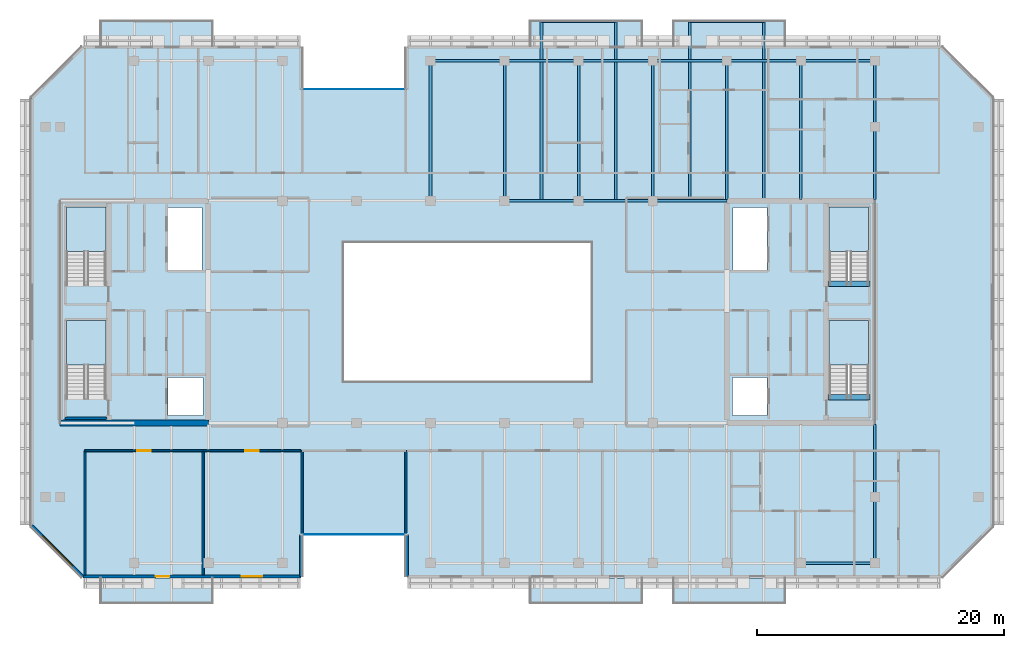
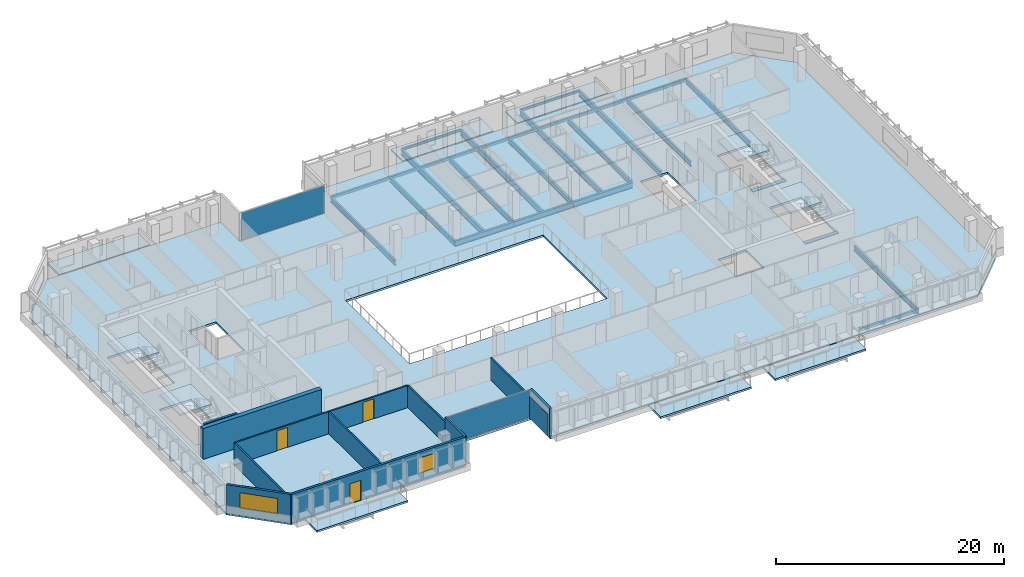
# One storey, part 5 of 16: 26 beams, 12 walls, 11 slabs, 3 doors, 2 plates, 2 windows, 5 openings, 6 elements without a shape of their own.
"""IFC4 building model written with IfcOpenShell, lengths in metres."""

from ifc_helpers import new_model, si_unit, direction, frame, frame_2d, origin, origin_2d, place, context, subcontext, project, spatial, polyline, rectangle, hollow_rectangle, i_section, outline, extrude, material, layer, layer_set, material_profile, profile_set, type_object, element, fill, aggregate, save


model = new_model("IFC4")

# Units and contexts
model_context = context("Model", 3, precision=1e-05, world=origin(), true_north=direction((0.0, 1.0)))
body_context = subcontext(model_context, "Body", "Model", "MODEL_VIEW")
ifc_project = project(units=[si_unit("LENGTHUNIT", "METRE"), si_unit("AREAUNIT", "SQUARE_METRE"), si_unit("VOLUMEUNIT", "CUBIC_METRE"), si_unit("PLANEANGLEUNIT", "RADIAN"), si_unit("MASSUNIT", "GRAM", prefix="KILO")], contexts=[model_context])

# Site, building, storey
site_placement = place(None, origin())
site = spatial("IfcSite", under=ifc_project, at=site_placement, CompositionType="ELEMENT")
building_placement = place(site_placement, origin())
building = spatial("IfcBuilding", under=site, at=building_placement, Name="Tanjung Sevakor Pilgrim Tower", CompositionType="ELEMENT")
storey_placement = place(building_placement, frame((0.0, 0.0, 191.72998046875)))
storey = spatial("IfcBuildingStorey", under=building, at=storey_placement, Name="L53", CompositionType="ELEMENT", Elevation=191.72998046875)

# Beams
ifc_material_1 = material(Name="Steel S355J2", Category="steel")
ifc_material_profile_1 = material_profile(ifc_material_1, i_section(OverallWidth=0.22900390625, OverallDepth=0.6123046875, WebThickness=0.011962890625, FlangeThickness=0.01953125, FilletRadius=0.0126953125, at=origin_2d()))
ifc_profile_set_1 = profile_set([ifc_material_profile_1], Name="Steel S355J2")
beam_type_1 = type_object("IfcBeamType", Name="BM-B-G4-UB_610x229x125", PredefinedType="BEAM", material=ifc_profile_set_1)
for number, where, z_axis, x_axis, name in (
    (1, (60.0, 42.60009765625, -0.526123046875), (1.0, 0.0, 0.0), (0.0, 1.0, 0.0), "L53 Primary Floor Girder MAIN Y426-06"),
    (2, (66.0, 42.60009765625, -0.526123046875), (1.0, 0.0, 0.0), (0.0, 1.0, 0.0), "L53 Primary Floor Girder MAIN Y426-07"),
    (3, (72.0, 42.60009765625, -0.526123046875), (1.0, 0.0, 0.0), (0.0, 1.0, 0.0), "L53 Primary Floor Girder MAIN Y426-08"),
):
    element("IfcBeam", number, at=place(storey_placement, frame(where, z_axis=z_axis, x_axis=x_axis)), inside=storey, type_object=beam_type_1, Name=name, PredefinedType="BEAM", context=body_context, shape_type="SweptSolid", body=[
        extrude(i_section(OverallWidth=0.22900390625, OverallDepth=0.6123046875, WebThickness=0.011962890625, FlangeThickness=0.01953125, FilletRadius=0.0126953125, at=origin_2d()), origin(), (0.0, 0.0, 1.0), 6.0),
    ])
for number, where, z_axis, x_axis, name in (
    (4, (63.0, 42.714599609375, -0.526123046875), (0.0, 1.0, 0.0), (-1.0, 0.0, 0.0), "L53 Balcony Cantilever Beam MAIN-N2-1"),
    (5, (69.0, 42.714599609375, -0.526123046875), (0.0, 1.0, 0.0), (-1.0, 0.0, 0.0), "L53 Balcony Cantilever Beam MAIN-N2-2"),
    (6, (75.0, 42.714599609375, -0.526123046875), (0.0, 1.0, 0.0), (-1.0, 0.0, 0.0), "L53 Balcony Cantilever Beam MAIN-N3-1"),
    (7, (81.0, 42.714599609375, -0.526123046875), (0.0, 1.0, 0.0), (-1.0, 0.0, 0.0), "L53 Balcony Cantilever Beam MAIN-N3-2"),
):
    element("IfcBeam", number, at=place(storey_placement, frame(where, z_axis=z_axis, x_axis=x_axis)), inside=storey, type_object=beam_type_1, Name=name, PredefinedType="BEAM", context=body_context, shape_type="SweptSolid", body=[
        extrude(i_section(OverallWidth=0.22900390625, OverallDepth=0.6123046875, WebThickness=0.011962890625, FlangeThickness=0.01953125, FilletRadius=0.0126953125, at=origin_2d()), origin(), (0.0, 0.0, 1.0), 14.415283203125),
    ])
ifc_material_2 = material(Name="Steel S355J2", Category="steel")
ifc_material_profile_2 = material_profile(ifc_material_2, i_section(OverallWidth=0.2119140625, OverallDepth=0.54443359375, WebThickness=0.0126953125, FlangeThickness=0.021240234375, FilletRadius=0.0126953125, at=origin_2d()))
ifc_profile_set_2 = profile_set([ifc_material_profile_2], Name="Steel S355J2")
beam_type_2 = type_object("IfcBeamType", Name="BM-B-G5-UB_533x210x122", PredefinedType="BEAM", material=ifc_profile_set_2)
for number, where, z_axis, x_axis, name in (
    (8, (54.0, 42.60009765625, -0.4921875), (0.0, 1.0, 0.0), (-1.0, 0.0, 0.0), "L53 MAIN Girder 007"),
    (9, (60.0, 42.60009765625, -0.4921875), (0.0, 1.0, 0.0), (-1.0, 0.0, 0.0), "L53 MAIN Girder 009"),
    (10, (66.0, 42.60009765625, -0.4921875), (0.0, 1.0, 0.0), (-1.0, 0.0, 0.0), "L53 MAIN Girder 011"),
    (11, (72.0, 42.60009765625, -0.4921875), (0.0, 1.0, 0.0), (-1.0, 0.0, 0.0), "L53 MAIN Girder 014"),
):
    element("IfcBeam", number, at=place(storey_placement, frame(where, z_axis=z_axis, x_axis=x_axis)), inside=storey, type_object=beam_type_2, Name=name, PredefinedType="BEAM", context=body_context, shape_type="SweptSolid", body=[
        extrude(i_section(OverallWidth=0.2119140625, OverallDepth=0.54443359375, WebThickness=0.0126953125, FlangeThickness=0.021240234375, FilletRadius=0.0126953125, at=origin_2d()), origin(), (0.0, 0.0, 1.0), 11.349853515625),
    ])
for number, where, z_axis, x_axis, name in (
    (12, (78.0, 42.714599609375, -0.4921875), (0.0, 1.0, 0.0), (-1.0, 0.0, 0.0), "L53 MAIN Girder 016"),
    (13, (84.0, 42.714599609375, -0.4921875), (0.0, 1.0, 0.0), (-1.0, 0.0, 0.0), "L53 MAIN Girder 018"),
):
    element("IfcBeam", number, at=place(storey_placement, frame(where, z_axis=z_axis, x_axis=x_axis)), inside=storey, type_object=beam_type_2, Name=name, PredefinedType="BEAM", context=body_context, shape_type="SweptSolid", body=[
        extrude(i_section(OverallWidth=0.2119140625, OverallDepth=0.54443359375, WebThickness=0.0126953125, FlangeThickness=0.021240234375, FilletRadius=0.0126953125, at=origin_2d()), origin(), (0.0, 0.0, 1.0), 11.2353515625),
    ])
beam_1_placement = place(storey_placement, frame((90.0, 13.25, -0.4921875), z_axis=(0.0, 1.0, 0.0), x_axis=(-1.0, 0.0, 0.0)))
element("IfcBeam", 14, at=beam_1_placement, inside=storey, type_object=beam_type_2, Name="L53 MAIN Girder 019", PredefinedType="BEAM", context=body_context, shape_type="SweptSolid", body=[
    extrude(i_section(OverallWidth=0.2119140625, OverallDepth=0.54443359375, WebThickness=0.0126953125, FlangeThickness=0.021240234375, FilletRadius=0.0126953125, at=origin_2d()), origin(), (0.0, 0.0, 1.0), 11.235595703125),
])
beam_2_placement = place(storey_placement, frame((90.0, 42.714599609375, -0.4921875), z_axis=(0.0, 1.0, 0.0), x_axis=(-1.0, 0.0, 0.0)))
element("IfcBeam", 15, at=beam_2_placement, inside=storey, type_object=beam_type_2, Name="L53 MAIN Girder 020", PredefinedType="BEAM", context=body_context, shape_type="SweptSolid", body=[
    extrude(i_section(OverallWidth=0.2119140625, OverallDepth=0.54443359375, WebThickness=0.0126953125, FlangeThickness=0.021240234375, FilletRadius=0.0126953125, at=origin_2d()), origin(), (0.0, 0.0, 1.0), 11.2353515625),
])
ifc_material_3 = material(Name="Steel S355J2", Category="steel")
ifc_material_profile_3 = material_profile(ifc_material_3, i_section(OverallWidth=0.146484375, OverallDepth=0.256103515625, WebThickness=0.00634765625, FlangeThickness=0.010986328125, FilletRadius=0.007568359375, at=origin_2d()))
ifc_profile_set_3 = profile_set([ifc_material_profile_3], Name="Steel S355J2")
beam_type_3 = type_object("IfcBeamType", Name="BM-B-J6-UB_254x146x37", PredefinedType="JOIST", material=ifc_profile_set_3)
for number, where, z_axis, x_axis, name in (
    (16, (63.0, 57.1298828125, -0.327880859375), (1.0, 0.0, 0.0), (0.0, 1.0, 0.0), "L53 Balcony Rim Tie MAIN-N2"),
    (17, (75.0, 57.1298828125, -0.327880859375), (1.0, 0.0, 0.0), (0.0, 1.0, 0.0), "L53 Balcony Rim Tie MAIN-N3"),
):
    element("IfcBeam", number, at=place(storey_placement, frame(where, z_axis=z_axis, x_axis=x_axis)), inside=storey, type_object=beam_type_3, Name=name, PredefinedType="JOIST", context=body_context, shape_type="SweptSolid", body=[
        extrude(i_section(OverallWidth=0.146484375, OverallDepth=0.256103515625, WebThickness=0.00634765625, FlangeThickness=0.010986328125, FilletRadius=0.007568359375, at=origin_2d()), origin(), (0.0, 0.0, 1.0), 6.0),
    ])
ifc_material_4 = material(Name="Concrete C60/75", Category="concrete")
ifc_material_profile_4 = material_profile(ifc_material_4, rectangle(XDim=0.449951171875, YDim=0.699951171875, at=origin_2d()))
ifc_profile_set_4 = profile_set([ifc_material_profile_4], Name="Concrete C60/75")
beam_type_4 = type_object("IfcBeamType", Name="BM-B-LN3-RC-BM_450x700", PredefinedType="LINTEL", material=ifc_profile_set_4)
for number, where, z_axis, x_axis, name in (
    (18, (86.199951171875, 26.699951171875, -0.35009765625), (1.0, 0.0, 0.0), (0.0, 1.0, 0.0), "L53 TS-E1 Stair Threshold Beam"),
    (19, (86.199951171875, 35.89990234375, -0.35009765625), (1.0, 0.0, 0.0), (0.0, 1.0, 0.0), "L53 TS-E2 Stair Threshold Beam"),
):
    element("IfcBeam", number, at=place(storey_placement, frame(where, z_axis=z_axis, x_axis=x_axis)), inside=storey, type_object=beam_type_4, Name=name, PredefinedType="LINTEL", context=body_context, shape_type="SweptSolid", body=[
        extrude(rectangle(XDim=0.449951171875, YDim=0.699951171875, at=origin_2d()), origin(), (0.0, 0.0, 1.0), 3.400146484375),
    ])
ifc_material_5 = material(Name="Steel S355J2", Category="steel")
ifc_material_profile_5 = material_profile(ifc_material_5, hollow_rectangle(XDim=0.199951171875, YDim=0.300048828125, WallThickness=0.012451171875, at=origin_2d()))
ifc_profile_set_5 = profile_set([ifc_material_profile_5], Name="Steel S355J2")
beam_type_5 = type_object("IfcBeamType", Name="BM-B-SP3-RHS_300x200x12.5", PredefinedType="SPANDREL", material=ifc_profile_set_5)
for number, where, z_axis, x_axis, name in (
    (20, (54.0, 53.949951171875, -0.369873046875), (1.0, 0.0, 0.0), (0.0, 1.0, 0.0), "L53 Spandrel MAIN N-06"),
    (21, (60.0, 53.949951171875, -0.369873046875), (1.0, 0.0, 0.0), (0.0, 1.0, 0.0), "L53 Spandrel MAIN N-08"),
    (22, (66.0, 53.949951171875, -0.369873046875), (1.0, 0.0, 0.0), (0.0, 1.0, 0.0), "L53 Spandrel MAIN N-10"),
    (23, (72.0, 53.949951171875, -0.369873046875), (1.0, 0.0, 0.0), (0.0, 1.0, 0.0), "L53 Spandrel MAIN N-12"),
    (24, (78.0, 53.949951171875, -0.369873046875), (1.0, 0.0, 0.0), (0.0, 1.0, 0.0), "L53 Spandrel MAIN N-14"),
    (25, (84.0, 13.25, -0.369873046875), (1.0, 0.0, 0.0), (0.0, 1.0, 0.0), "L53 Spandrel MAIN S-15"),
    (26, (84.0, 53.949951171875, -0.369873046875), (1.0, 0.0, 0.0), (0.0, 1.0, 0.0), "L53 Spandrel MAIN N-16"),
):
    element("IfcBeam", number, at=place(storey_placement, frame(where, z_axis=z_axis, x_axis=x_axis)), inside=storey, type_object=beam_type_5, Name=name, PredefinedType="SPANDREL", context=body_context, shape_type="SweptSolid", body=[
        extrude(hollow_rectangle(XDim=0.199951171875, YDim=0.300048828125, WallThickness=0.012451171875, at=origin_2d()), origin(), (0.0, 0.0, 1.0), 6.0),
    ])

# Slabs
ifc_material_6 = material(Name="Concrete C40/50", Category="concrete")
ifc_layer_1 = layer(ifc_material_6, 0.199951171875)
ifc_layer_set_1 = layer_set([ifc_layer_1], Name="SL-BAL-200")
slab_type_1 = type_object("IfcSlabType", Name="SL-BAL-200", PredefinedType="FLOOR", material=ifc_layer_set_1)
slab_1_placement = place(storey_placement, frame((0.0, 0.0, -0.199951171875)))
element("IfcSlab", 27, at=slab_1_placement, inside=storey, type_object=slab_type_1, Name="L53 Planted Loggia Balcony MAIN-S1", PredefinedType="FLOOR", context=body_context, shape_type="SweptSolid", body=[
    extrude(outline(polyline([(27.199951171875, 9.949951171875), (36.39990234375, 9.949951171875), (36.39990234375, 12.050048828125), (27.199951171875, 12.050048828125), (27.199951171875, 9.949951171875)])), origin(), (0.0, 0.0, 1.0), 0.199951171875),
])
slab_2_placement = place(storey_placement, frame((0.0, 0.0, -0.199951171875)))
element("IfcSlab", 28, at=slab_2_placement, inside=storey, type_object=slab_type_1, Name="L53 Planted Loggia Balcony MAIN-N1", PredefinedType="FLOOR", context=body_context, shape_type="SweptSolid", body=[
    extrude(outline(polyline([(27.199951171875, 55.14990234375), (36.39990234375, 55.14990234375), (36.39990234375, 57.25), (27.199951171875, 57.25), (27.199951171875, 55.14990234375)])), origin(), (0.0, 0.0, 1.0), 0.199951171875),
])
slab_3_placement = place(storey_placement, frame((0.0, 0.0, -0.199951171875)))
element("IfcSlab", 29, at=slab_3_placement, inside=storey, type_object=slab_type_1, Name="L53 Planted Loggia Balcony MAIN-S2", PredefinedType="FLOOR", context=body_context, shape_type="SweptSolid", body=[
    extrude(outline(polyline([(62.0, 9.949951171875), (71.199951171875, 9.949951171875), (71.199951171875, 12.050048828125), (62.0, 12.050048828125), (62.0, 9.949951171875)])), origin(), (0.0, 0.0, 1.0), 0.199951171875),
])
slab_4_placement = place(storey_placement, frame((0.0, 0.0, -0.199951171875)))
element("IfcSlab", 30, at=slab_4_placement, inside=storey, type_object=slab_type_1, Name="L53 Planted Loggia Balcony MAIN-N2", PredefinedType="FLOOR", context=body_context, shape_type="SweptSolid", body=[
    extrude(outline(polyline([(62.0, 55.14990234375), (71.199951171875, 55.14990234375), (71.199951171875, 57.25), (62.0, 57.25), (62.0, 55.14990234375)])), origin(), (0.0, 0.0, 1.0), 0.199951171875),
])
slab_5_placement = place(storey_placement, frame((0.0, 0.0, -0.199951171875)))
element("IfcSlab", 31, at=slab_5_placement, inside=storey, type_object=slab_type_1, Name="L53 Planted Loggia Balcony MAIN-S3", PredefinedType="FLOOR", context=body_context, shape_type="SweptSolid", body=[
    extrude(outline(polyline([(73.60009765625, 9.949951171875), (82.800048828125, 9.949951171875), (82.800048828125, 12.050048828125), (73.60009765625, 12.050048828125), (73.60009765625, 9.949951171875)])), origin(), (0.0, 0.0, 1.0), 0.199951171875),
])
slab_6_placement = place(storey_placement, frame((0.0, 0.0, -0.199951171875)))
element("IfcSlab", 32, at=slab_6_placement, inside=storey, type_object=slab_type_1, Name="L53 Planted Loggia Balcony MAIN-N3", PredefinedType="FLOOR", context=body_context, shape_type="SweptSolid", body=[
    extrude(outline(polyline([(73.60009765625, 55.14990234375), (82.800048828125, 55.14990234375), (82.800048828125, 57.25), (73.60009765625, 57.25), (73.60009765625, 55.14990234375)])), origin(), (0.0, 0.0, 1.0), 0.199951171875),
])

# Stair, slab
ifc_material_7 = material(Name="Concrete C40/50", Category="concrete")
stair_type = type_object("IfcStairType", Name="STAIR-ST-CR150", PredefinedType="HALF_TURN_STAIR", material=ifc_material_7)
stair_1_placement = place(storey_placement, origin())
stair_1 = element("IfcStair", 33, at=stair_1_placement, inside=storey, type_object=stair_type, Name="L53 West Core Exit Stair 1", PredefinedType="HALF_TURN_STAIR")
ifc_material_8 = material(Name="Concrete C40/50", Category="concrete")
ifc_layer_2 = layer(ifc_material_8, 0.199951171875)
ifc_layer_set_2 = layer_set([ifc_layer_2], Name="SL-LAND-200")
slab_type_2 = type_object("IfcSlabType", Name="SL-LAND-200", PredefinedType="LANDING", material=ifc_layer_set_2)
slab_7_placement = place(storey_placement, frame((0.0, 0.0, 1.449951171875)))
slab_7 = element("IfcSlab", 34, at=slab_7_placement, type_object=slab_type_2, Name="TS-W1 landing 1", PredefinedType="LANDING", context=body_context, shape_type="SweptSolid", body=[
    extrude(outline(polyline([(27.699951171875, 29.300048828125), (27.699951171875, 32.89990234375), (24.5, 32.89990234375), (24.5, 29.300048828125), (27.699951171875, 29.300048828125)])), origin(), (0.0, 0.0, 1.0), 0.199951171875),
])
aggregate(stair_1, [slab_7])

stair_2_placement = place(storey_placement, origin())
stair_2 = element("IfcStair", 35, at=stair_2_placement, inside=storey, type_object=stair_type, Name="L53 West Core Exit Stair 2", PredefinedType="HALF_TURN_STAIR")
slab_8_placement = place(storey_placement, frame((0.0, 0.0, 1.449951171875)))
slab_8 = element("IfcSlab", 36, at=slab_8_placement, type_object=slab_type_2, Name="TS-W2 landing 1", PredefinedType="LANDING", context=body_context, shape_type="SweptSolid", body=[
    extrude(outline(polyline([(27.699951171875, 38.5), (27.699951171875, 42.10009765625), (24.5, 42.10009765625), (24.5, 38.5), (27.699951171875, 38.5)])), origin(), (0.0, 0.0, 1.0), 0.199951171875),
])
aggregate(stair_2, [slab_8])

stair_3_placement = place(storey_placement, origin())
stair_3 = element("IfcStair", 37, at=stair_3_placement, inside=storey, type_object=stair_type, Name="L53 East Core Exit Stair 1", PredefinedType="HALF_TURN_STAIR")
slab_9_placement = place(storey_placement, frame((0.0, 0.0, 1.449951171875)))
slab_9 = element("IfcSlab", 38, at=slab_9_placement, type_object=slab_type_2, Name="TS-E1 landing 1", PredefinedType="LANDING", context=body_context, shape_type="SweptSolid", body=[
    extrude(outline(polyline([(89.5, 29.300048828125), (89.5, 32.89990234375), (86.300048828125, 32.89990234375), (86.300048828125, 29.300048828125), (89.5, 29.300048828125)])), origin(), (0.0, 0.0, 1.0), 0.199951171875),
])
aggregate(stair_3, [slab_9])

stair_4_placement = place(storey_placement, origin())
stair_4 = element("IfcStair", 39, at=stair_4_placement, inside=storey, type_object=stair_type, Name="L53 East Core Exit Stair 2", PredefinedType="HALF_TURN_STAIR")
slab_10_placement = place(storey_placement, frame((0.0, 0.0, 1.449951171875)))
slab_10 = element("IfcSlab", 40, at=slab_10_placement, type_object=slab_type_2, Name="TS-E2 landing 1", PredefinedType="LANDING", context=body_context, shape_type="SweptSolid", body=[
    extrude(outline(polyline([(89.5, 38.5), (89.5, 42.10009765625), (86.300048828125, 42.10009765625), (86.300048828125, 38.5), (89.5, 38.5)])), origin(), (0.0, 0.0, 1.0), 0.199951171875),
])
aggregate(stair_4, [slab_10])

# Slab
ifc_material_9 = material(Name="Concrete C40/50", Category="concrete")
ifc_layer_3 = layer(ifc_material_9, 0.219970703125)
ifc_layer_set_3 = layer_set([ifc_layer_3], Name="SL-TWR-220")
slab_type_3 = type_object("IfcSlabType", Name="SL-TWR-220", PredefinedType="FLOOR", material=ifc_layer_set_3)
slab_11_placement = place(storey_placement, frame((0.0, 0.0, -0.219970703125)))
element("IfcSlab", 41, at=slab_11_placement, inside=storey, type_object=slab_type_3, Name="L53 Floor Slab MAIN", PredefinedType="FLOOR", context=body_context, shape_type="SweptSolid", body=[
    extrude(outline(polyline([(25.846923828125, 12.1298828125), (43.52001953125, 12.1298828125), (43.52001953125, 15.530029296875), (52.080078125, 15.530029296875), (52.080078125, 12.1298828125), (95.35302734375, 12.1298828125), (99.52001953125, 16.296875), (99.52001953125, 50.903076171875), (95.35302734375, 55.070068359375), (52.080078125, 55.070068359375), (52.080078125, 51.669921875), (43.52001953125, 51.669921875), (43.52001953125, 55.070068359375), (25.846923828125, 55.070068359375), (21.679931640625, 50.903076171875), (21.679931640625, 16.296875), (25.846923828125, 12.1298828125)]), holes=[polyline([(27.699951171875, 26.60009765625), (27.699951171875, 32.89990234375), (24.5, 32.89990234375), (24.5, 26.60009765625), (27.699951171875, 26.60009765625)]), polyline([(27.699951171875, 35.800048828125), (27.699951171875, 42.10009765625), (24.5, 42.10009765625), (24.5, 35.800048828125), (27.699951171875, 35.800048828125)]), polyline([(89.5, 26.60009765625), (89.5, 32.89990234375), (86.300048828125, 32.89990234375), (86.300048828125, 26.60009765625), (89.5, 26.60009765625)]), polyline([(89.5, 35.800048828125), (89.5, 42.10009765625), (86.300048828125, 42.10009765625), (86.300048828125, 35.800048828125), (89.5, 35.800048828125)]), polyline([(32.75, 25.199951171875), (35.550048828125, 25.199951171875), (35.550048828125, 28.300048828125), (32.75, 28.300048828125), (32.75, 25.199951171875)]), polyline([(32.75, 37.0), (35.5, 37.0), (35.5, 42.050048828125), (32.75, 42.050048828125), (32.75, 37.0)]), polyline([(78.449951171875, 25.199951171875), (81.25, 25.199951171875), (81.25, 28.300048828125), (78.449951171875, 28.300048828125), (78.449951171875, 25.199951171875)]), polyline([(78.5, 37.0), (81.25, 37.0), (81.25, 42.050048828125), (78.5, 42.050048828125), (78.5, 37.0)]), polyline([(47.0, 28.0), (67.0, 28.0), (67.0, 39.199951171875), (47.0, 39.199951171875), (47.0, 28.0)])]), origin(), (0.0, 0.0, 1.0), 0.219970703125),
])

# Curtain wall, plate
ifc_material_10 = material(Name="Aluminium 6063-T6 and Low-E Glass", Category="aluminium")
ifc_layer_4 = layer(ifc_material_10, 0.179931640625)
ifc_layer_set_4 = layer_set([ifc_layer_4], Name="CW-SYS-CLEFT")
curtain_wall_type = type_object("IfcCurtainWallType", Name="CW-SYS-CLEFT", PredefinedType="NOTDEFINED", material=ifc_layer_set_4)
curtain_wall_1_placement = place(storey_placement, origin())
curtain_wall_1 = element("IfcCurtainWall", 42, at=curtain_wall_1_placement, inside=storey, type_object=curtain_wall_type, Name="L53 Curtain Wall CW-CLF-L53-2", PredefinedType="NOTDEFINED")
ifc_material_11 = material(Name="Laminated Low-E Double Glazing", Category="glass")
ifc_layer_5 = layer(ifc_material_11, 0.028076171875)
ifc_layer_set_5 = layer_set([ifc_layer_5], Name="TYPE-CWP-GLZ1")
plate_type = type_object("IfcPlateType", Name="TYPE-CWP-GLZ1", PredefinedType="CURTAIN_PANEL", material=ifc_layer_set_5)
plate_1_placement = place(storey_placement, frame((47.800048828125, 15.56005859375, 0.06494140625), z_axis=(0.0, 0.0, 1.0), x_axis=(1.0, 0.0, 0.0)))
plate_1 = element("IfcPlate", 43, at=plate_1_placement, type_object=plate_type, Name="CW-CLF panel 1.1", PredefinedType="CURTAIN_PANEL", context=body_context, shape_type="SweptSolid", body=[
    extrude(rectangle(XDim=8.469970703125, YDim=0.028076171875, at=origin_2d()), origin(), (0.0, 0.0, 1.0), 2.949951171875),
])
aggregate(curtain_wall_1, [plate_1])

curtain_wall_2_placement = place(storey_placement, origin())
curtain_wall_2 = element("IfcCurtainWall", 44, at=curtain_wall_2_placement, inside=storey, type_object=curtain_wall_type, Name="L53 Curtain Wall CW-CLF-L53-10", PredefinedType="NOTDEFINED")
plate_2_placement = place(storey_placement, frame((47.800048828125, 51.639892578125, 0.06494140625), z_axis=(0.0, 0.0, 1.0), x_axis=(-1.0, 0.0, 0.0)))
plate_2 = element("IfcPlate", 45, at=plate_2_placement, type_object=plate_type, Name="CW-CLF panel 1.1", PredefinedType="CURTAIN_PANEL", context=body_context, shape_type="SweptSolid", body=[
    extrude(rectangle(XDim=8.469970703125, YDim=0.028076171875, at=origin_2d()), origin(), (0.0, 0.0, 1.0), 2.949951171875),
])
aggregate(curtain_wall_2, [plate_2])

# Walls
ifc_material_12 = material(Name="Concrete C60/75", Category="concrete")
ifc_layer_6 = layer(ifc_material_12, 0.449951171875)
ifc_layer_set_6 = layer_set([ifc_layer_6], Name="WALL-CW-450")
wall_type_1 = type_object("IfcWallType", Name="WALL-CW-450", PredefinedType="SHEAR", material=ifc_layer_set_6)
wall_1_placement = place(storey_placement, frame((24.0, 24.60009765625, 0.0), z_axis=(0.0, 0.0, 1.0), x_axis=(1.0, 0.0, 0.0)))
element("IfcWall", 46, at=wall_1_placement, inside=storey, type_object=wall_type_1, Name="L53 W Core South Shear Wall", PredefinedType="SHEAR", context=body_context, shape_type="SweptSolid", body=[
    extrude(rectangle(XDim=12.0, YDim=0.449951171875, at=frame_2d((6.0, 0.0))), origin(), (0.0, 0.0, 1.0), 3.300048828125),
])
ifc_material_13 = material(Name="Concrete C40/50", Category="concrete")
ifc_layer_7 = layer(ifc_material_13, 0.14990234375)
ifc_layer_set_7 = layer_set([ifc_layer_7], Name="WT-COMP-150")
wall_type_2 = type_object("IfcWallType", Name="WT-COMP-150", PredefinedType="SOLIDWALL", material=ifc_layer_set_7)
for number, where, z_axis, x_axis, name in (
    (47, (43.60009765625, 12.27001953125, 0.0), (0.0, 0.0, 1.0), (0.0, 1.0, 0.0), "L53 Partition IW-L53-046"),
    (48, (52.0, 12.27001953125, 0.0), (0.0, 0.0, 1.0), (0.0, 1.0, 0.0), "L53 Partition IW-L53-047"),
    (49, (26.0, 12.27001953125, 0.0), (0.0, 0.0, 1.0), (0.0, 1.0, 0.0), "L53 Partition IW-L53-051"),
    (50, (35.575927734375, 12.27001953125, 0.0), (0.0, 0.0, 1.0), (0.0, 1.0, 0.0), "L53 Partition IW-L53-052"),
):
    element("IfcWall", number, at=place(storey_placement, frame(where, z_axis=z_axis, x_axis=x_axis)), inside=storey, type_object=wall_type_2, Name=name, PredefinedType="SOLIDWALL", context=body_context, shape_type="SweptSolid", body=[
        extrude(rectangle(XDim=10.080078125, YDim=0.14990234375, at=frame_2d((5.0400390625, 0.0))), origin(), (0.0, 0.0, 1.0), 2.35009765625),
    ])

# Wall, opening, door
wall_2_placement = place(storey_placement, frame((26.0, 22.35009765625, 0.0), z_axis=(0.0, 0.0, 1.0), x_axis=(1.0, 0.0, 0.0)))
wall_2 = element("IfcWall", 51, at=wall_2_placement, inside=storey, type_object=wall_type_2, Name="L53 Partition IW-L53-053", PredefinedType="SOLIDWALL", context=body_context, shape_type="SweptSolid", body=[
    extrude(rectangle(XDim=9.575927734375, YDim=0.14990234375, at=frame_2d((4.7880859375, 0.0))), origin(), (0.0, 0.0, 1.0), 2.35009765625),
])
opening_1_placement = place(wall_2_placement, frame((4.238037109375, 0.0, 0.0)))
opening_1 = element("IfcOpeningElement", 52, at=opening_1_placement, cuts=wall_2, Name="Opening ID-FD0", PredefinedType="OPENING", context=body_context, shape_type="SweptSolid", body=[
    extrude(rectangle(XDim=1.10009765625, YDim=2.14990234375, at=frame_2d((0.550048828125, 1.074951171875))), frame((0.0, 0.0849609375, 0.0), z_axis=(0.0, -1.0, 0.0), x_axis=(1.0, 0.0, 0.0)), (0.0, 0.0, 1.0), 0.169921875),
])
ifc_material_14 = material(Name="Fire-Rated Steel S355J2", Category="steel")
door_type_1 = type_object("IfcDoorType", Name="DT-FIRE-1100", OperationType="NOTDEFINED", PredefinedType="DOOR", material=ifc_material_14)
door_1_placement = place(opening_1_placement, origin())
door_1 = element("IfcDoor", 53, at=door_1_placement, inside=storey, type_object=door_type_1, Name="Communal Lounge Door", OperationType="SINGLE_SWING_RIGHT", OverallHeight=2.14990234375, OverallWidth=1.10009765625, PredefinedType="DOOR", context=body_context, shape_type="SweptSolid", body=[
    extrude(rectangle(XDim=1.10009765625, YDim=2.14990234375, at=frame_2d((0.550048828125, 1.074951171875))), frame((0.0, 0.02490234375, 0.0), z_axis=(0.0, -1.0, 0.0), x_axis=(1.0, 0.0, 0.0)), (0.0, 0.0, 1.0), 0.050048828125),
])
fill(opening_1, door_1)

wall_3_placement = place(storey_placement, frame((35.575927734375, 22.35009765625, 0.0), z_axis=(0.0, 0.0, 1.0), x_axis=(1.0, 0.0, 0.0)))
wall_3 = element("IfcWall", 54, at=wall_3_placement, inside=storey, type_object=wall_type_2, Name="L53 Partition IW-L53-054", PredefinedType="SOLIDWALL", context=body_context, shape_type="SweptSolid", body=[
    extrude(rectangle(XDim=7.904052734375, YDim=0.14990234375, at=frame_2d((3.9521484375, 0.0))), origin(), (0.0, 0.0, 1.0), 2.35009765625),
])
opening_2_placement = place(wall_3_placement, frame((3.402099609375, 0.0, 0.0)))
opening_2 = element("IfcOpeningElement", 55, at=opening_2_placement, cuts=wall_3, Name="Opening ID-FD0", PredefinedType="OPENING", context=body_context, shape_type="SweptSolid", body=[
    extrude(rectangle(XDim=1.10009765625, YDim=2.14990234375, at=frame_2d((0.550048828125, 1.074951171875))), frame((0.0, 0.0849609375, 0.0), z_axis=(0.0, -1.0, 0.0), x_axis=(1.0, 0.0, 0.0)), (0.0, 0.0, 1.0), 0.169921875),
])
door_2_placement = place(opening_2_placement, origin())
door_2 = element("IfcDoor", 56, at=door_2_placement, inside=storey, type_object=door_type_1, Name="Council Room Door", OperationType="SINGLE_SWING_LEFT", OverallHeight=2.14990234375, OverallWidth=1.10009765625, PredefinedType="DOOR", context=body_context, shape_type="SweptSolid", body=[
    extrude(rectangle(XDim=1.10009765625, YDim=2.14990234375, at=frame_2d((0.550048828125, 1.074951171875))), frame((0.0, 0.02490234375, 0.0), z_axis=(0.0, -1.0, 0.0), x_axis=(1.0, 0.0, 0.0)), (0.0, 0.0, 1.0), 0.050048828125),
])
fill(opening_2, door_2)

# Wall, openings, door, window
ifc_material_15 = material(Name="Precast concrete C45/55", Category="concrete")
ifc_layer_8 = layer(ifc_material_15, 0.219970703125)
ifc_layer_set_8 = layer_set([ifc_layer_8], Name="WT-EW-STN4")
wall_type_3 = type_object("IfcWallType", Name="WT-EW-STN4", PredefinedType="SOLIDWALL", material=ifc_layer_set_8)
wall_4_placement = place(storey_placement, frame((25.845703125, 12.159912109375, 0.0), z_axis=(0.0, 0.0, 1.0), x_axis=(1.0, 0.0, 0.0)))
wall_4 = element("IfcWall", 57, at=wall_4_placement, inside=storey, type_object=wall_type_3, Name="L53 MAIN Exterior Wall 1", PredefinedType="SOLIDWALL", context=body_context, shape_type="SweptSolid", body=[
    extrude(rectangle(XDim=17.644287109375, YDim=0.219970703125, at=frame_2d((8.822265625, 0.0))), origin(), (0.0, 0.0, 1.0), 3.080078125),
])
opening_3_placement = place(wall_4_placement, frame((5.904296875, 0.0, 0.0)))
opening_3 = element("IfcOpeningElement", 58, at=opening_3_placement, cuts=wall_4, Name="Opening ED-BAL-1100", PredefinedType="OPENING", context=body_context, shape_type="SweptSolid", body=[
    extrude(rectangle(XDim=1.10009765625, YDim=2.14990234375, at=frame_2d((0.550048828125, 1.074951171875))), frame((0.0, 0.119873046875, 0.0), z_axis=(0.0, -1.0, 0.0), x_axis=(1.0, 0.0, 0.0)), (0.0, 0.0, 1.0), 0.239990234375),
])
opening_4_placement = place(wall_4_placement, frame((12.857421875, 0.0, 0.780029296875)))
opening_4 = element("IfcOpeningElement", 59, at=opening_4_placement, cuts=wall_4, Name="Opening WN-Z4-1660", PredefinedType="OPENING", context=body_context, shape_type="SweptSolid", body=[
    extrude(rectangle(XDim=1.64990234375, YDim=1.659912109375, at=frame_2d((0.824951171875, 0.830078125))), frame((0.0, 0.119873046875, 0.0), z_axis=(0.0, -1.0, 0.0), x_axis=(1.0, 0.0, 0.0)), (0.0, 0.0, 1.0), 0.239990234375),
])
ifc_material_16 = material(Name="Anodised Aluminium and Laminated Glass", Category="aluminium")
door_type_2 = type_object("IfcDoorType", Name="DTYP-ED-BAL-1100", OperationType="NOTDEFINED", PredefinedType="DOOR", material=ifc_material_16)
door_3_placement = place(opening_3_placement, frame((1.10009765625, 0.0, 0.0), z_axis=(0.0, 0.0, 1.0), x_axis=(-1.0, 0.0, 0.0)))
door_3 = element("IfcDoor", 60, at=door_3_placement, inside=storey, type_object=door_type_2, Name="L53 Balcony Door MAIN-S1", OperationType="SINGLE_SWING_LEFT", OverallHeight=2.14990234375, OverallWidth=1.10009765625, PredefinedType="DOOR", context=body_context, shape_type="SweptSolid", body=[
    extrude(rectangle(XDim=1.10009765625, YDim=2.14990234375, at=frame_2d((0.550048828125, 1.074951171875))), frame((0.0, 0.02490234375, 0.0), z_axis=(0.0, -1.0, 0.0), x_axis=(1.0, 0.0, 0.0)), (0.0, 0.0, 1.0), 0.050048828125),
])
fill(opening_3, door_3)
ifc_material_17 = material(Name="Thermally Broken Aluminium and Low-E Glass", Category="aluminium")
window_type_1 = type_object("IfcWindowType", Name="WTYP-WN-Z4-1660", PartitioningType="DOUBLE_PANEL_VERTICAL", PredefinedType="WINDOW", material=ifc_material_17)
window_1_placement = place(opening_4_placement, origin())
window_1 = element("IfcWindow", 61, at=window_1_placement, inside=storey, type_object=window_type_1, Name="L53 Facade Window 01", OverallHeight=1.659912109375, OverallWidth=1.64990234375, PartitioningType="SINGLE_PANEL", PredefinedType="WINDOW", context=body_context, shape_type="SweptSolid", body=[
    extrude(rectangle(XDim=1.64990234375, YDim=1.659912109375, at=frame_2d((0.824951171875, 0.830078125))), frame((0.0, 0.030029296875, 0.0), z_axis=(0.0, -1.0, 0.0), x_axis=(1.0, 0.0, 0.0)), (0.0, 0.0, 1.0), 0.06005859375),
])
fill(opening_4, window_1)

# Walls
for number, where, z_axis, x_axis, name in (
    (62, (43.489990234375, 12.159912109375, 0.0), (0.0, 0.0, 1.0), (0.0, 1.0, 0.0), "L53 MAIN Exterior Wall 2"),
    (63, (52.110107421875, 15.56005859375, 0.0), (0.0, 0.0, 1.0), (0.0, -1.0, 0.0), "L53 MAIN Exterior Wall 4"),
):
    element("IfcWall", number, at=place(storey_placement, frame(where, z_axis=z_axis, x_axis=x_axis)), inside=storey, type_object=wall_type_3, Name=name, PredefinedType="SOLIDWALL", context=body_context, shape_type="SweptSolid", body=[
        extrude(rectangle(XDim=3.400146484375, YDim=0.219970703125, at=frame_2d((1.7001953125, 0.0))), origin(), (0.0, 0.0, 1.0), 3.080078125),
    ])

# Wall, opening, window
wall_5_placement = place(storey_placement, frame((21.7099609375, 16.295654296875, 0.0), z_axis=(0.0, 0.0, 1.0), x_axis=(0.707106781187, -0.707106781187, 0.0)))
wall_5 = element("IfcWall", 64, at=wall_5_placement, inside=storey, type_object=wall_type_3, Name="L53 MAIN Sculpted Corner Wall 15", PredefinedType="SOLIDWALL", context=body_context, shape_type="SweptSolid", body=[
    extrude(rectangle(XDim=5.848876953125, YDim=0.219970703125, at=frame_2d((2.92431640625, 0.0))), origin(), (0.0, 0.0, 1.0), 3.080078125),
])
opening_5_placement = place(wall_5_placement, frame((1.224365234375, 0.0, 0.780029296875)))
opening_5 = element("IfcOpeningElement", 65, at=opening_5_placement, cuts=wall_5, Name="Opening WN-CHM-1660", PredefinedType="OPENING", context=body_context, shape_type="SweptSolid", body=[
    extrude(rectangle(XDim=3.39990234375, YDim=1.659912109375, at=frame_2d((1.699951171875, 0.830078125))), frame((0.0, 0.119873046875, 0.0), z_axis=(0.0, -1.0, 0.0), x_axis=(1.0, 0.0, 0.0)), (0.0, 0.0, 1.0), 0.239990234375),
])
ifc_material_18 = material(Name="Thermally Broken Aluminium and Low-E Glass", Category="aluminium")
window_type_2 = type_object("IfcWindowType", Name="WTYP-WN-CHM-1660", PartitioningType="DOUBLE_PANEL_VERTICAL", PredefinedType="WINDOW", material=ifc_material_18)
window_2_placement = place(opening_5_placement, origin())
window_2 = element("IfcWindow", 66, at=window_2_placement, inside=storey, type_object=window_type_2, Name="L53 Facade Window 01", OverallHeight=1.659912109375, OverallWidth=3.39990234375, PartitioningType="SINGLE_PANEL", PredefinedType="WINDOW", context=body_context, shape_type="SweptSolid", body=[
    extrude(rectangle(XDim=3.39990234375, YDim=1.659912109375, at=frame_2d((1.699951171875, 0.830078125))), frame((0.0, 0.030029296875, 0.0), z_axis=(0.0, -1.0, 0.0), x_axis=(1.0, 0.0, 0.0)), (0.0, 0.0, 1.0), 0.06005859375),
])
fill(opening_5, window_2)

# Wall
ifc_material_19 = material(Name="Concrete C40/50", Category="concrete")
ifc_layer_9 = layer(ifc_material_19, 0.199951171875)
ifc_layer_set_9 = layer_set([ifc_layer_9], Name="WT-FIRE-200")
wall_type_4 = type_object("IfcWallType", Name="WT-FIRE-200", PredefinedType="SOLIDWALL", material=ifc_layer_set_9)
wall_6_placement = place(storey_placement, frame((24.39990234375, 25.0, 0.0), z_axis=(0.0, 0.0, 1.0), x_axis=(1.0, 0.0, 0.0)))
element("IfcWall", 67, at=wall_6_placement, inside=storey, type_object=wall_type_4, Name="L53 TS-W1 Shaft Wall 1", PredefinedType="SOLIDWALL", context=body_context, shape_type="SweptSolid", body=[
    extrude(rectangle(XDim=3.400146484375, YDim=0.199951171875, at=frame_2d((1.7001953125, 0.0))), origin(), (0.0, 0.0, 1.0), 3.300048828125),
])

save(model, "model.ifc")
